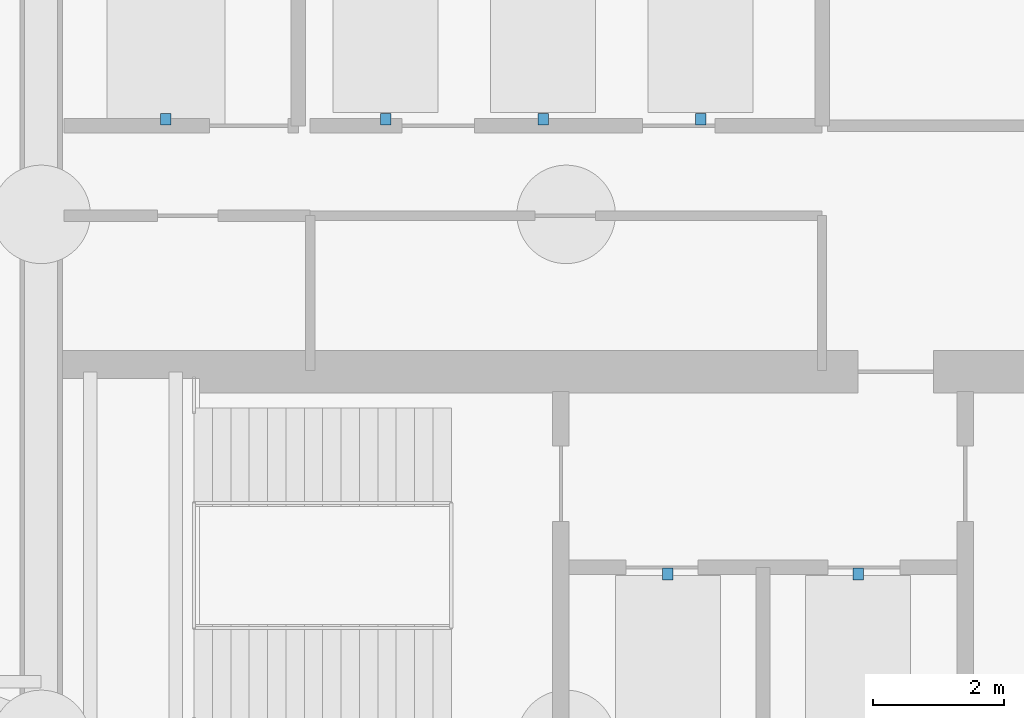
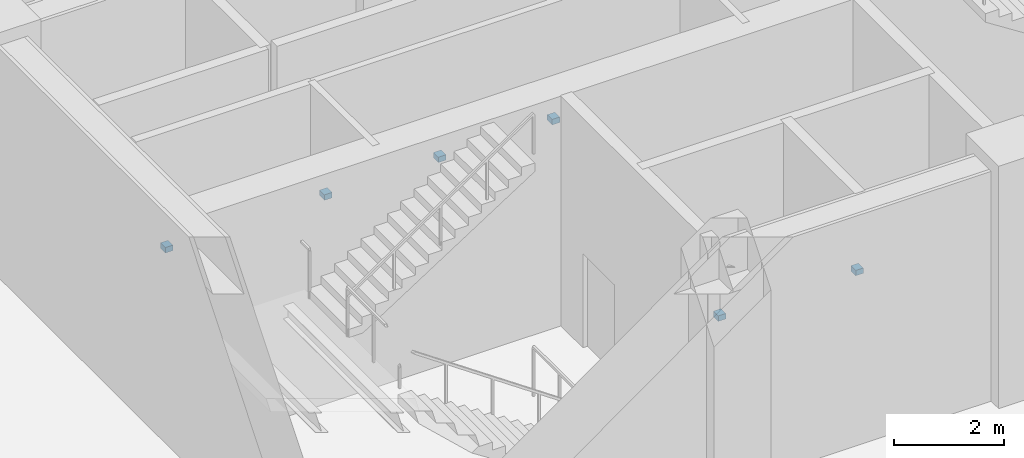
# One storey, part 15 of 22: 6 discrete accessories.
"""IFC4 building model written with IfcOpenShell, lengths in metres."""

from ifc_helpers import new_model, si_unit, direction, frame, origin, origin_2d, place, context, subcontext, project, spatial, rectangle, extrude, material, type_object, element, save


model = new_model("IFC4")

# Units and contexts
model_context = context("Model", 3, precision=1e-05, world=origin(), true_north=direction((0.0, 1.0)))
body_context = subcontext(model_context, "Body", "Model", "MODEL_VIEW")
ifc_project = project(units=[si_unit("LENGTHUNIT", "METRE"), si_unit("AREAUNIT", "SQUARE_METRE"), si_unit("VOLUMEUNIT", "CUBIC_METRE"), si_unit("PLANEANGLEUNIT", "RADIAN"), si_unit("MASSUNIT", "GRAM", prefix="KILO")], contexts=[model_context])

# Site, building, storey
site_placement = place(None, origin())
site = spatial("IfcSite", under=ifc_project, at=site_placement, CompositionType="ELEMENT")
building_placement = place(site_placement, origin())
building = spatial("IfcBuilding", under=site, at=building_placement, Name="Kazevale Care Tower and Concert Hall", CompositionType="ELEMENT")
storey_placement = place(building_placement, frame((0.0, 0.0, -5.39990234375)))
storey = spatial("IfcBuildingStorey", under=building, at=storey_placement, Name="B1", CompositionType="ELEMENT", Elevation=-5.39990234375)

# Discrete accessories
ifc_material = material(Name="Stainless Steel 316", Category="steel")
discrete_accessory_type = type_object("IfcDiscreteAccessoryType", Name="Hoistway Guide-Rail Wall Bracket HBRK-1", PredefinedType="BRACKET", material=ifc_material)
for number, where, z_axis, x_axis, name in (
    (1, (31.550048828125, 26.52001953125, 1.23974609375), (0.0, 0.0, 1.0), (1.0, 0.0, 0.0), "hbrk:FFL-1:B1"),
    (2, (34.449951171875, 26.52001953125, 1.23974609375), (0.0, 0.0, 1.0), (1.0, 0.0, 0.0), "hbrk:FFL-2:B1"),
    (3, (23.89990234375, 33.449951171875, 1.23974609375), (0.0, 0.0, 1.0), (1.0, 0.0, 0.0), "hbrk:SVL-1:B1"),
    (4, (27.25, 33.449951171875, 1.23974609375), (0.0, 0.0, 1.0), (1.0, 0.0, 0.0), "hbrk:PL-1:B1"),
    (5, (29.64990234375, 33.449951171875, 1.23974609375), (0.0, 0.0, 1.0), (1.0, 0.0, 0.0), "hbrk:PL-2:B1"),
    (6, (32.050048828125, 33.449951171875, 1.23974609375), (0.0, 0.0, 1.0), (1.0, 0.0, 0.0), "hbrk:PL-3:B1"),
):
    element("IfcDiscreteAccessory", number, at=place(storey_placement, frame(where, z_axis=z_axis, x_axis=x_axis)), inside=storey, type_object=discrete_accessory_type, Name=name, PredefinedType="BRACKET", context=body_context, shape_type="SweptSolid", body=[
        extrude(rectangle(XDim=0.159912109375, YDim=0.179931640625, at=origin_2d()), origin(), (0.0, 0.0, 1.0), 0.1201171875),
    ])

save(model, "model.ifc")
